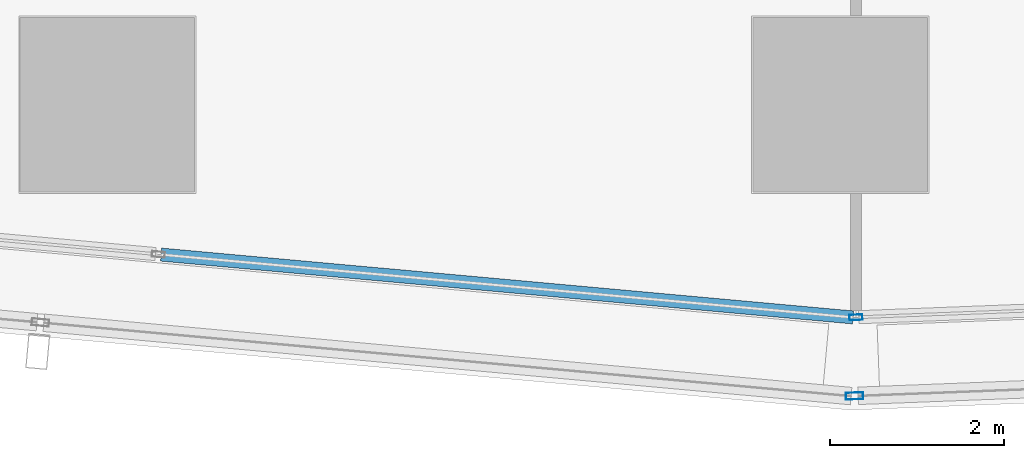
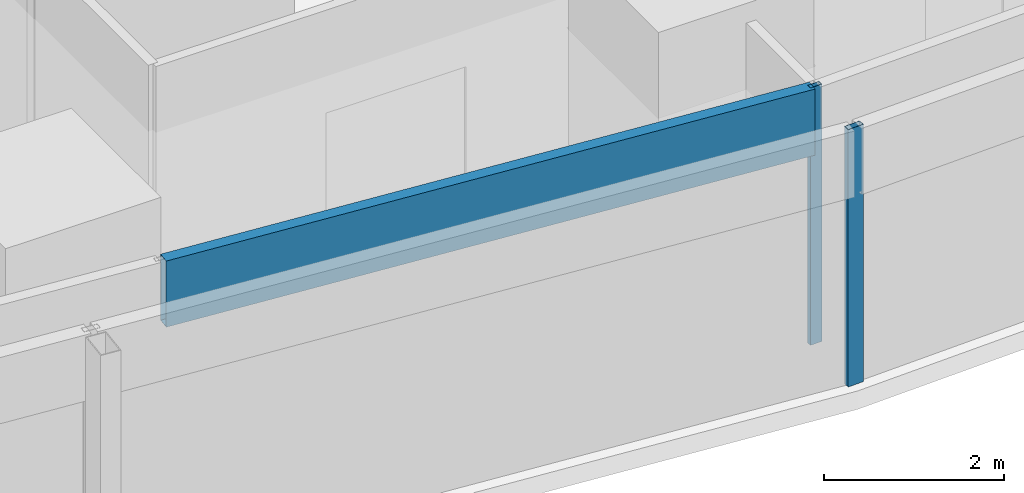
# One storey, part 5 of 39: 3 members, 3 elements without a shape of their own.
"""IFC4 building model written with IfcOpenShell, lengths in metres."""

from ifc_helpers import new_model, si_unit, direction, frame, origin, origin_2d, place, context, subcontext, project, spatial, hollow_rectangle, extrude, material, material_profile, profile_set, type_object, element, aggregate, save


model = new_model("IFC4")

# Units and contexts
model_context = context("Model", 3, precision=1e-05, world=origin(), true_north=direction((0.0, 1.0)))
body_context = subcontext(model_context, "Body", "Model", "MODEL_VIEW")
ifc_project = project(units=[si_unit("LENGTHUNIT", "METRE"), si_unit("AREAUNIT", "SQUARE_METRE"), si_unit("VOLUMEUNIT", "CUBIC_METRE"), si_unit("PLANEANGLEUNIT", "RADIAN"), si_unit("MASSUNIT", "GRAM", prefix="KILO")], contexts=[model_context])

# Site, building, storey
site_placement = place(None, origin())
site = spatial("IfcSite", under=ifc_project, at=site_placement, CompositionType="ELEMENT")
building_placement = place(site_placement, origin())
building = spatial("IfcBuilding", under=site, at=building_placement, Name="Rekha Terrace Tower", CompositionType="ELEMENT")
storey_placement = place(building_placement, frame((0.0, 0.0, 151.550048828125)))
storey = spatial("IfcBuildingStorey", under=building, at=storey_placement, Name="L38", CompositionType="ELEMENT", Elevation=151.550048828125)

# Curtain wall, member
ifc_material_1 = material(Name="Aluminium framing", Category="aluminium")
curtain_wall_type_1 = type_object("IfcCurtainWallType", Name="CW1 double skin inner glazing", PredefinedType="USERDEFINED", material=ifc_material_1)
curtain_wall_1_placement = place(storey_placement, origin())
curtain_wall_1 = element("IfcCurtainWall", 1, at=curtain_wall_1_placement, inside=storey, type_object=curtain_wall_type_1, Name="CW1 double skin inner glazing", ObjectType="DOUBLE SKIN INNER GLAZING", PredefinedType="USERDEFINED")
ifc_material_2 = material(Name="Aluminium mullion section", Category="aluminium")
ifc_material_profile_1 = material_profile(ifc_material_2, hollow_rectangle(XDim=0.06494140625, YDim=0.14990234375, WallThickness=0.00390625, at=origin_2d()), Name="AL RHS 65x150")
ifc_profile_set_1 = profile_set([ifc_material_profile_1], Name="Aluminium mullion section")
member_type_1 = type_object("IfcMemberType", Name="CW1 mullion RHS 65 x 150", PredefinedType="MULLION", material=ifc_profile_set_1)
member_1_placement = place(storey_placement, frame((25.3798828125, 14.363037109375, 0.0), z_axis=(0.0, 0.0, 1.0), x_axis=(-0.038889971328, 0.999243498918, 0.0)))
member_1 = element("IfcMember", 2, at=member_1_placement, type_object=member_type_1, Name="CW1 mullion 1", PredefinedType="MULLION", context=body_context, shape_type="SweptSolid", body=[
    extrude(hollow_rectangle(XDim=0.06494140625, YDim=0.14990234375, WallThickness=0.00390625, at=origin_2d()), origin(), (0.0, 0.0, 1.0), 3.5),
])
aggregate(curtain_wall_1, [member_1])

curtain_wall_2_placement = place(storey_placement, origin())
curtain_wall_2 = element("IfcCurtainWall", 3, at=curtain_wall_2_placement, inside=storey, type_object=curtain_wall_type_1, Name="CW1 double skin inner glazing", ObjectType="DOUBLE SKIN INNER GLAZING", PredefinedType="USERDEFINED")
ifc_material_3 = material(Name="Insulated aluminium spandrel box", Category="aluminium")
ifc_material_profile_2 = material_profile(ifc_material_3, hollow_rectangle(XDim=0.14990234375, YDim=0.89990234375, WallThickness=0.0029296875, at=origin_2d()), Name="AL SPANDREL BOX 150x900")
ifc_profile_set_2 = profile_set([ifc_material_profile_2], Name="Insulated aluminium spandrel box")
member_type_2 = type_object("IfcMemberType", Name="CW1 spandrel transom 150 x 900", PredefinedType="USERDEFINED", material=ifc_profile_set_2)
member_2_placement = place(storey_placement, frame((17.41650390625, 15.08203125, 3.050048828125), z_axis=(0.995901996892, -0.090438999256, 0.0), x_axis=(0.090438999256, 0.995901996892, 0.0)))
member_2 = element("IfcMember", 4, at=member_2_placement, type_object=member_type_2, Name="CW1 spandrel transom 2", ObjectType="TRANSOM", PredefinedType="USERDEFINED", context=body_context, shape_type="SweptSolid", body=[
    extrude(hollow_rectangle(XDim=0.14990234375, YDim=0.89990234375, WallThickness=0.0029296875, at=origin_2d()), origin(), (0.0, 0.0, 1.0), 7.963623046875),
])
aggregate(curtain_wall_2, [member_2])

curtain_wall_type_2 = type_object("IfcCurtainWallType", Name="CW2 double skin outer glazing", PredefinedType="USERDEFINED", material=ifc_material_1)
curtain_wall_3_placement = place(storey_placement, origin())
curtain_wall_3 = element("IfcCurtainWall", 5, at=curtain_wall_3_placement, inside=storey, type_object=curtain_wall_type_2, Name="CW2 double skin outer glazing", ObjectType="DOUBLE SKIN OUTER GLAZING", PredefinedType="USERDEFINED")
ifc_material_profile_3 = material_profile(ifc_material_2, hollow_rectangle(XDim=0.080078125, YDim=0.199951171875, WallThickness=0.00390625, at=origin_2d()), Name="AL RHS 80x200")
ifc_profile_set_3 = profile_set([ifc_material_profile_3], Name="Aluminium mullion section")
member_type_3 = type_object("IfcMemberType", Name="CW2 mullion RHS 80 x 200", PredefinedType="MULLION", material=ifc_profile_set_3)
member_3_placement = place(storey_placement, frame((25.364013671875, 13.4619140625, 0.0), z_axis=(0.0, 0.0, 1.0), x_axis=(-0.038889971345, 0.999243498917, 0.0)))
member_3 = element("IfcMember", 6, at=member_3_placement, type_object=member_type_3, Name="CW2 mullion 1", PredefinedType="MULLION", context=body_context, shape_type="SweptSolid", body=[
    extrude(hollow_rectangle(XDim=0.080078125, YDim=0.199951171875, WallThickness=0.00390625, at=origin_2d()), origin(), (0.0, 0.0, 1.0), 3.5),
])
aggregate(curtain_wall_3, [member_3])

save(model, "model.ifc")
